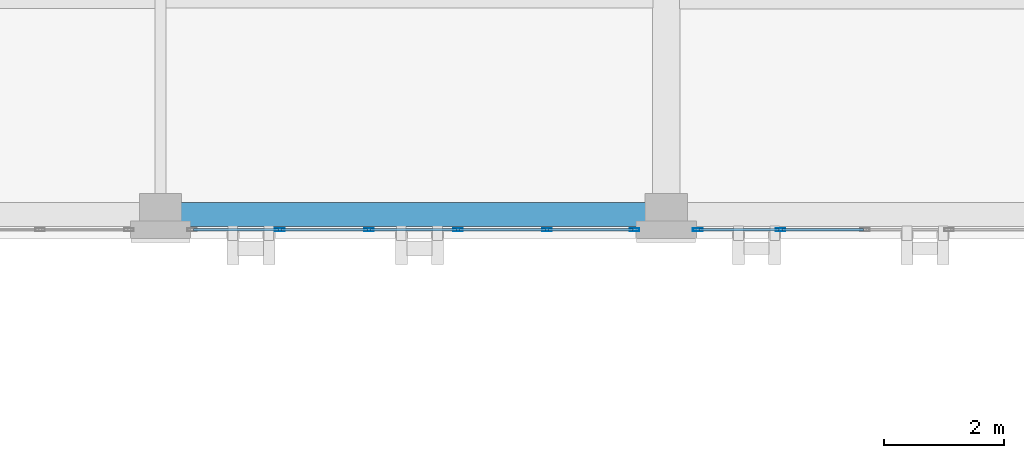
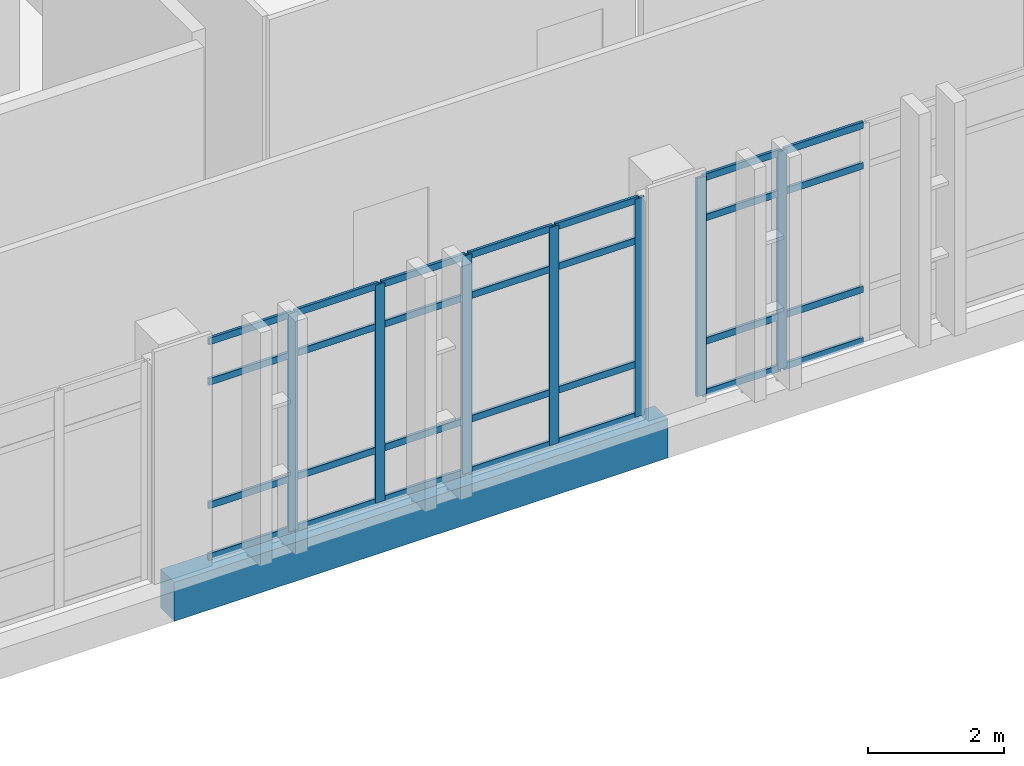
# One storey, part 81 of 165: 35 members, 1 beam, 2 elements without a shape of their own.
"""IFC4 building model written with IfcOpenShell, lengths in metres."""

from ifc_helpers import new_model, si_unit, direction, frame, origin, origin_2d, place, context, subcontext, project, spatial, rectangle, hollow_rectangle, extrude, material, layer, layer_set, material_profile, profile_set, type_object, element, aggregate, save


model = new_model("IFC4")

# Units and contexts
model_context = context("Model", 3, precision=1e-05, world=origin(), true_north=direction((0.0, 1.0)))
body_context = subcontext(model_context, "Body", "Model", "MODEL_VIEW")
ifc_project = project(units=[si_unit("LENGTHUNIT", "METRE"), si_unit("AREAUNIT", "SQUARE_METRE"), si_unit("VOLUMEUNIT", "CUBIC_METRE"), si_unit("PLANEANGLEUNIT", "RADIAN"), si_unit("MASSUNIT", "GRAM", prefix="KILO")], contexts=[model_context])

# Site, building, storey
site_placement = place(None, origin())
site = spatial("IfcSite", under=ifc_project, at=site_placement, CompositionType="ELEMENT")
building_placement = place(site_placement, origin())
building = spatial("IfcBuilding", under=site, at=building_placement, Name="Qalavern Law Courts", CompositionType="ELEMENT")
storey_placement = place(building_placement, frame((0.0, 0.0, 14.39990234375)))
storey = spatial("IfcBuildingStorey", under=building, at=storey_placement, Name="L03", CompositionType="ELEMENT", Elevation=14.39990234375)

# Curtain wall, members
ifc_material_1 = material(Name="Anodised aluminium and insulated glazing", Category="aluminium")
ifc_layer = layer(ifc_material_1, 0.166015625)
ifc_layer_set = layer_set([ifc_layer], Name="Anodised aluminium and insulated glazing")
curtain_wall_type = type_object("IfcCurtainWallType", Name="ENV-CW-LIB", PredefinedType="USERDEFINED", material=ifc_layer_set)
curtain_wall_1_placement = place(storey_placement, origin())
curtain_wall_1 = element("IfcCurtainWall", 1, at=curtain_wall_1_placement, inside=storey, type_object=curtain_wall_type, Name="V5 unitised curtain wall L03 south 2", ObjectType="UNITISED CURTAIN WALL", PredefinedType="USERDEFINED")
ifc_material_2 = material(Name="Anodised aluminium", Category="aluminium")
ifc_material_profile_1 = material_profile(ifc_material_2, hollow_rectangle(XDim=0.048095703125, YDim=0.159912109375, WallThickness=0.00390625, at=origin_2d()), Name="ALU MULLION 48x160")
ifc_profile_set_1 = profile_set([ifc_material_profile_1], Name="Anodised aluminium")
member_type_1 = type_object("IfcMemberType", Name="ENV-CWM-48x160", PredefinedType="MULLION", material=ifc_profile_set_1)
member_1_placement = place(storey_placement, frame((30.3798828125, 96.347412109375, 0.0), z_axis=(0.0, 0.0, 1.0), x_axis=(0.0, 1.0, 0.0)))
member_1 = element("IfcMember", 2, at=member_1_placement, type_object=member_type_1, Name="CW-05 mullion 2", PredefinedType="MULLION", context=body_context, shape_type="SweptSolid", body=[
    extrude(hollow_rectangle(XDim=0.048095703125, YDim=0.159912109375, WallThickness=0.00390625, at=origin_2d()), origin(), (0.0, 0.0, 1.0), 3.920166015625),
])
member_2_placement = place(storey_placement, frame((31.860107421875, 96.347412109375, 0.0), z_axis=(0.0, 0.0, 1.0), x_axis=(0.0, 1.0, 0.0)))
member_2 = element("IfcMember", 3, at=member_2_placement, type_object=member_type_1, Name="CW-05 mullion 3", PredefinedType="MULLION", context=body_context, shape_type="SweptSolid", body=[
    extrude(hollow_rectangle(XDim=0.048095703125, YDim=0.159912109375, WallThickness=0.00390625, at=origin_2d()), origin(), (0.0, 0.0, 1.0), 3.920166015625),
])
member_3_placement = place(storey_placement, frame((33.340087890625, 96.347412109375, 0.0), z_axis=(0.0, 0.0, 1.0), x_axis=(0.0, 1.0, 0.0)))
member_3 = element("IfcMember", 4, at=member_3_placement, type_object=member_type_1, Name="CW-05 mullion 4", PredefinedType="MULLION", context=body_context, shape_type="SweptSolid", body=[
    extrude(hollow_rectangle(XDim=0.048095703125, YDim=0.159912109375, WallThickness=0.00390625, at=origin_2d()), origin(), (0.0, 0.0, 1.0), 3.920166015625),
])
member_4_placement = place(storey_placement, frame((34.820068359375, 96.347412109375, 0.0), z_axis=(0.0, 0.0, 1.0), x_axis=(0.0, 1.0, 0.0)))
member_4 = element("IfcMember", 5, at=member_4_placement, type_object=member_type_1, Name="CW-05 mullion 5", PredefinedType="MULLION", context=body_context, shape_type="SweptSolid", body=[
    extrude(hollow_rectangle(XDim=0.048095703125, YDim=0.159912109375, WallThickness=0.00390625, at=origin_2d()), origin(), (0.0, 0.0, 1.0), 3.920166015625),
])
member_5_placement = place(storey_placement, frame((36.27587890625, 96.347412109375, 0.0), z_axis=(0.0, 0.0, 1.0), x_axis=(0.0, 1.0, 0.0)))
member_5 = element("IfcMember", 6, at=member_5_placement, type_object=member_type_1, Name="CW-05 mullion 6", PredefinedType="MULLION", context=body_context, shape_type="SweptSolid", body=[
    extrude(hollow_rectangle(XDim=0.048095703125, YDim=0.159912109375, WallThickness=0.00390625, at=origin_2d()), origin(), (0.0, 0.0, 1.0), 3.920166015625),
])

curtain_wall_2_placement = place(storey_placement, origin())
curtain_wall_2 = element("IfcCurtainWall", 7, at=curtain_wall_2_placement, inside=storey, type_object=curtain_wall_type, Name="V5 unitised curtain wall L03 south 3", ObjectType="UNITISED CURTAIN WALL", PredefinedType="USERDEFINED")
member_6_placement = place(storey_placement, frame((37.323974609375, 96.347412109375, 0.0), z_axis=(0.0, 0.0, 1.0), x_axis=(0.0, 1.0, 0.0)))
member_6 = element("IfcMember", 8, at=member_6_placement, type_object=member_type_1, Name="CW-05 mullion 1", PredefinedType="MULLION", context=body_context, shape_type="SweptSolid", body=[
    extrude(hollow_rectangle(XDim=0.048095703125, YDim=0.159912109375, WallThickness=0.00390625, at=origin_2d()), origin(), (0.0, 0.0, 1.0), 3.920166015625),
])
member_7_placement = place(storey_placement, frame((38.699951171875, 96.347412109375, 0.0), z_axis=(0.0, 0.0, 1.0), x_axis=(0.0, 1.0, 0.0)))
member_7 = element("IfcMember", 9, at=member_7_placement, type_object=member_type_1, Name="CW-05 mullion 2", PredefinedType="MULLION", context=body_context, shape_type="SweptSolid", body=[
    extrude(hollow_rectangle(XDim=0.048095703125, YDim=0.159912109375, WallThickness=0.00390625, at=origin_2d()), origin(), (0.0, 0.0, 1.0), 3.920166015625),
])

# Member
ifc_material_profile_2 = material_profile(ifc_material_2, hollow_rectangle(XDim=0.048095703125, YDim=0.1201171875, WallThickness=0.00390625, at=origin_2d()), Name="ALU TRANSOM 48x120")
ifc_profile_set_2 = profile_set([ifc_material_profile_2], Name="Anodised aluminium")
member_type_2 = type_object("IfcMemberType", Name="ENV-CWT-48x120", PredefinedType="USERDEFINED", material=ifc_profile_set_2)
member_8_placement = place(storey_placement, frame((28.947998046875, 96.347412109375, 0.024169921875), z_axis=(1.0, 0.0, 0.0), x_axis=(0.0, 1.0, 0.0)))
member_8 = element("IfcMember", 10, at=member_8_placement, type_object=member_type_2, Name="CW-05 transom 1.1", ObjectType="TRANSOM", PredefinedType="USERDEFINED", context=body_context, shape_type="SweptSolid", body=[
    extrude(hollow_rectangle(XDim=0.048095703125, YDim=0.1201171875, WallThickness=0.00390625, at=origin_2d()), origin(), (0.0, 0.0, 1.0), 1.407958984375),
])

member_9_placement = place(storey_placement, frame((28.947998046875, 96.347412109375, 0.9501953125), z_axis=(1.0, 0.0, 0.0), x_axis=(0.0, 1.0, 0.0)))
member_9 = element("IfcMember", 11, at=member_9_placement, type_object=member_type_2, Name="CW-05 transom 1.2", ObjectType="TRANSOM", PredefinedType="USERDEFINED", context=body_context, shape_type="SweptSolid", body=[
    extrude(hollow_rectangle(XDim=0.048095703125, YDim=0.1201171875, WallThickness=0.00390625, at=origin_2d()), origin(), (0.0, 0.0, 1.0), 1.407958984375),
])

member_10_placement = place(storey_placement, frame((28.947998046875, 96.347412109375, 3.170166015625), z_axis=(1.0, 0.0, 0.0), x_axis=(0.0, 1.0, 0.0)))
member_10 = element("IfcMember", 12, at=member_10_placement, type_object=member_type_2, Name="CW-05 transom 1.3", ObjectType="TRANSOM", PredefinedType="USERDEFINED", context=body_context, shape_type="SweptSolid", body=[
    extrude(hollow_rectangle(XDim=0.048095703125, YDim=0.1201171875, WallThickness=0.00390625, at=origin_2d()), origin(), (0.0, 0.0, 1.0), 1.407958984375),
])

member_11_placement = place(storey_placement, frame((28.947998046875, 96.347412109375, 3.89599609375), z_axis=(1.0, 0.0, 0.0), x_axis=(0.0, 1.0, 0.0)))
member_11 = element("IfcMember", 13, at=member_11_placement, type_object=member_type_2, Name="CW-05 transom 1.4", ObjectType="TRANSOM", PredefinedType="USERDEFINED", context=body_context, shape_type="SweptSolid", body=[
    extrude(hollow_rectangle(XDim=0.048095703125, YDim=0.1201171875, WallThickness=0.00390625, at=origin_2d()), origin(), (0.0, 0.0, 1.0), 1.407958984375),
])

member_12_placement = place(storey_placement, frame((30.404052734375, 96.347412109375, 0.024169921875), z_axis=(1.0, 0.0, 0.0), x_axis=(0.0, 1.0, 0.0)))
member_12 = element("IfcMember", 14, at=member_12_placement, type_object=member_type_2, Name="CW-05 transom 2.1", ObjectType="TRANSOM", PredefinedType="USERDEFINED", context=body_context, shape_type="SweptSolid", body=[
    extrude(hollow_rectangle(XDim=0.048095703125, YDim=0.1201171875, WallThickness=0.00390625, at=origin_2d()), origin(), (0.0, 0.0, 1.0), 1.431884765625),
])

member_13_placement = place(storey_placement, frame((30.404052734375, 96.347412109375, 0.9501953125), z_axis=(1.0, 0.0, 0.0), x_axis=(0.0, 1.0, 0.0)))
member_13 = element("IfcMember", 15, at=member_13_placement, type_object=member_type_2, Name="CW-05 transom 2.2", ObjectType="TRANSOM", PredefinedType="USERDEFINED", context=body_context, shape_type="SweptSolid", body=[
    extrude(hollow_rectangle(XDim=0.048095703125, YDim=0.1201171875, WallThickness=0.00390625, at=origin_2d()), origin(), (0.0, 0.0, 1.0), 1.431884765625),
])

member_14_placement = place(storey_placement, frame((30.404052734375, 96.347412109375, 3.170166015625), z_axis=(1.0, 0.0, 0.0), x_axis=(0.0, 1.0, 0.0)))
member_14 = element("IfcMember", 16, at=member_14_placement, type_object=member_type_2, Name="CW-05 transom 2.3", ObjectType="TRANSOM", PredefinedType="USERDEFINED", context=body_context, shape_type="SweptSolid", body=[
    extrude(hollow_rectangle(XDim=0.048095703125, YDim=0.1201171875, WallThickness=0.00390625, at=origin_2d()), origin(), (0.0, 0.0, 1.0), 1.431884765625),
])

member_15_placement = place(storey_placement, frame((30.404052734375, 96.347412109375, 3.89599609375), z_axis=(1.0, 0.0, 0.0), x_axis=(0.0, 1.0, 0.0)))
member_15 = element("IfcMember", 17, at=member_15_placement, type_object=member_type_2, Name="CW-05 transom 2.4", ObjectType="TRANSOM", PredefinedType="USERDEFINED", context=body_context, shape_type="SweptSolid", body=[
    extrude(hollow_rectangle(XDim=0.048095703125, YDim=0.1201171875, WallThickness=0.00390625, at=origin_2d()), origin(), (0.0, 0.0, 1.0), 1.431884765625),
])

member_16_placement = place(storey_placement, frame((31.884033203125, 96.347412109375, 0.024169921875), z_axis=(1.0, 0.0, 0.0), x_axis=(0.0, 1.0, 0.0)))
member_16 = element("IfcMember", 18, at=member_16_placement, type_object=member_type_2, Name="CW-05 transom 3.1", ObjectType="TRANSOM", PredefinedType="USERDEFINED", context=body_context, shape_type="SweptSolid", body=[
    extrude(hollow_rectangle(XDim=0.048095703125, YDim=0.1201171875, WallThickness=0.00390625, at=origin_2d()), origin(), (0.0, 0.0, 1.0), 1.431884765625),
])

member_17_placement = place(storey_placement, frame((31.884033203125, 96.347412109375, 0.9501953125), z_axis=(1.0, 0.0, 0.0), x_axis=(0.0, 1.0, 0.0)))
member_17 = element("IfcMember", 19, at=member_17_placement, type_object=member_type_2, Name="CW-05 transom 3.2", ObjectType="TRANSOM", PredefinedType="USERDEFINED", context=body_context, shape_type="SweptSolid", body=[
    extrude(hollow_rectangle(XDim=0.048095703125, YDim=0.1201171875, WallThickness=0.00390625, at=origin_2d()), origin(), (0.0, 0.0, 1.0), 1.431884765625),
])

member_18_placement = place(storey_placement, frame((31.884033203125, 96.347412109375, 3.170166015625), z_axis=(1.0, 0.0, 0.0), x_axis=(0.0, 1.0, 0.0)))
member_18 = element("IfcMember", 20, at=member_18_placement, type_object=member_type_2, Name="CW-05 transom 3.3", ObjectType="TRANSOM", PredefinedType="USERDEFINED", context=body_context, shape_type="SweptSolid", body=[
    extrude(hollow_rectangle(XDim=0.048095703125, YDim=0.1201171875, WallThickness=0.00390625, at=origin_2d()), origin(), (0.0, 0.0, 1.0), 1.431884765625),
])

member_19_placement = place(storey_placement, frame((31.884033203125, 96.347412109375, 3.89599609375), z_axis=(1.0, 0.0, 0.0), x_axis=(0.0, 1.0, 0.0)))
member_19 = element("IfcMember", 21, at=member_19_placement, type_object=member_type_2, Name="CW-05 transom 3.4", ObjectType="TRANSOM", PredefinedType="USERDEFINED", context=body_context, shape_type="SweptSolid", body=[
    extrude(hollow_rectangle(XDim=0.048095703125, YDim=0.1201171875, WallThickness=0.00390625, at=origin_2d()), origin(), (0.0, 0.0, 1.0), 1.431884765625),
])

member_20_placement = place(storey_placement, frame((33.364013671875, 96.347412109375, 0.024169921875), z_axis=(1.0, 0.0, 0.0), x_axis=(0.0, 1.0, 0.0)))
member_20 = element("IfcMember", 22, at=member_20_placement, type_object=member_type_2, Name="CW-05 transom 4.1", ObjectType="TRANSOM", PredefinedType="USERDEFINED", context=body_context, shape_type="SweptSolid", body=[
    extrude(hollow_rectangle(XDim=0.048095703125, YDim=0.1201171875, WallThickness=0.00390625, at=origin_2d()), origin(), (0.0, 0.0, 1.0), 1.431884765625),
])

member_21_placement = place(storey_placement, frame((33.364013671875, 96.347412109375, 0.9501953125), z_axis=(1.0, 0.0, 0.0), x_axis=(0.0, 1.0, 0.0)))
member_21 = element("IfcMember", 23, at=member_21_placement, type_object=member_type_2, Name="CW-05 transom 4.2", ObjectType="TRANSOM", PredefinedType="USERDEFINED", context=body_context, shape_type="SweptSolid", body=[
    extrude(hollow_rectangle(XDim=0.048095703125, YDim=0.1201171875, WallThickness=0.00390625, at=origin_2d()), origin(), (0.0, 0.0, 1.0), 1.431884765625),
])

member_22_placement = place(storey_placement, frame((33.364013671875, 96.347412109375, 3.170166015625), z_axis=(1.0, 0.0, 0.0), x_axis=(0.0, 1.0, 0.0)))
member_22 = element("IfcMember", 24, at=member_22_placement, type_object=member_type_2, Name="CW-05 transom 4.3", ObjectType="TRANSOM", PredefinedType="USERDEFINED", context=body_context, shape_type="SweptSolid", body=[
    extrude(hollow_rectangle(XDim=0.048095703125, YDim=0.1201171875, WallThickness=0.00390625, at=origin_2d()), origin(), (0.0, 0.0, 1.0), 1.431884765625),
])

member_23_placement = place(storey_placement, frame((33.364013671875, 96.347412109375, 3.89599609375), z_axis=(1.0, 0.0, 0.0), x_axis=(0.0, 1.0, 0.0)))
member_23 = element("IfcMember", 25, at=member_23_placement, type_object=member_type_2, Name="CW-05 transom 4.4", ObjectType="TRANSOM", PredefinedType="USERDEFINED", context=body_context, shape_type="SweptSolid", body=[
    extrude(hollow_rectangle(XDim=0.048095703125, YDim=0.1201171875, WallThickness=0.00390625, at=origin_2d()), origin(), (0.0, 0.0, 1.0), 1.431884765625),
])

member_24_placement = place(storey_placement, frame((34.843994140625, 96.347412109375, 0.024169921875), z_axis=(1.0, 0.0, 0.0), x_axis=(0.0, 1.0, 0.0)))
member_24 = element("IfcMember", 26, at=member_24_placement, type_object=member_type_2, Name="CW-05 transom 5.1", ObjectType="TRANSOM", PredefinedType="USERDEFINED", context=body_context, shape_type="SweptSolid", body=[
    extrude(hollow_rectangle(XDim=0.048095703125, YDim=0.1201171875, WallThickness=0.00390625, at=origin_2d()), origin(), (0.0, 0.0, 1.0), 1.407958984375),
])

member_25_placement = place(storey_placement, frame((34.843994140625, 96.347412109375, 0.9501953125), z_axis=(1.0, 0.0, 0.0), x_axis=(0.0, 1.0, 0.0)))
member_25 = element("IfcMember", 27, at=member_25_placement, type_object=member_type_2, Name="CW-05 transom 5.2", ObjectType="TRANSOM", PredefinedType="USERDEFINED", context=body_context, shape_type="SweptSolid", body=[
    extrude(hollow_rectangle(XDim=0.048095703125, YDim=0.1201171875, WallThickness=0.00390625, at=origin_2d()), origin(), (0.0, 0.0, 1.0), 1.407958984375),
])

member_26_placement = place(storey_placement, frame((34.843994140625, 96.347412109375, 3.170166015625), z_axis=(1.0, 0.0, 0.0), x_axis=(0.0, 1.0, 0.0)))
member_26 = element("IfcMember", 28, at=member_26_placement, type_object=member_type_2, Name="CW-05 transom 5.3", ObjectType="TRANSOM", PredefinedType="USERDEFINED", context=body_context, shape_type="SweptSolid", body=[
    extrude(hollow_rectangle(XDim=0.048095703125, YDim=0.1201171875, WallThickness=0.00390625, at=origin_2d()), origin(), (0.0, 0.0, 1.0), 1.407958984375),
])

member_27_placement = place(storey_placement, frame((34.843994140625, 96.347412109375, 3.89599609375), z_axis=(1.0, 0.0, 0.0), x_axis=(0.0, 1.0, 0.0)))
member_27 = element("IfcMember", 29, at=member_27_placement, type_object=member_type_2, Name="CW-05 transom 5.4", ObjectType="TRANSOM", PredefinedType="USERDEFINED", context=body_context, shape_type="SweptSolid", body=[
    extrude(hollow_rectangle(XDim=0.048095703125, YDim=0.1201171875, WallThickness=0.00390625, at=origin_2d()), origin(), (0.0, 0.0, 1.0), 1.407958984375),
])

aggregate(curtain_wall_1, [member_1, member_2, member_3, member_4, member_5, member_8, member_9, member_10, member_11, member_12, member_13, member_14, member_15, member_16, member_17, member_18, member_19, member_20, member_21, member_22, member_23, member_24, member_25, member_26, member_27])

member_28_placement = place(storey_placement, frame((37.347900390625, 96.347412109375, 0.024169921875), z_axis=(1.0, 0.0, 0.0), x_axis=(0.0, 1.0, 0.0)))
member_28 = element("IfcMember", 30, at=member_28_placement, type_object=member_type_2, Name="CW-05 transom 1.1", ObjectType="TRANSOM", PredefinedType="USERDEFINED", context=body_context, shape_type="SweptSolid", body=[
    extrude(hollow_rectangle(XDim=0.048095703125, YDim=0.1201171875, WallThickness=0.00390625, at=origin_2d()), origin(), (0.0, 0.0, 1.0), 1.328125),
])

member_29_placement = place(storey_placement, frame((37.347900390625, 96.347412109375, 0.9501953125), z_axis=(1.0, 0.0, 0.0), x_axis=(0.0, 1.0, 0.0)))
member_29 = element("IfcMember", 31, at=member_29_placement, type_object=member_type_2, Name="CW-05 transom 1.2", ObjectType="TRANSOM", PredefinedType="USERDEFINED", context=body_context, shape_type="SweptSolid", body=[
    extrude(hollow_rectangle(XDim=0.048095703125, YDim=0.1201171875, WallThickness=0.00390625, at=origin_2d()), origin(), (0.0, 0.0, 1.0), 1.328125),
])

member_30_placement = place(storey_placement, frame((37.347900390625, 96.347412109375, 3.170166015625), z_axis=(1.0, 0.0, 0.0), x_axis=(0.0, 1.0, 0.0)))
member_30 = element("IfcMember", 32, at=member_30_placement, type_object=member_type_2, Name="CW-05 transom 1.3", ObjectType="TRANSOM", PredefinedType="USERDEFINED", context=body_context, shape_type="SweptSolid", body=[
    extrude(hollow_rectangle(XDim=0.048095703125, YDim=0.1201171875, WallThickness=0.00390625, at=origin_2d()), origin(), (0.0, 0.0, 1.0), 1.328125),
])

member_31_placement = place(storey_placement, frame((37.347900390625, 96.347412109375, 3.89599609375), z_axis=(1.0, 0.0, 0.0), x_axis=(0.0, 1.0, 0.0)))
member_31 = element("IfcMember", 33, at=member_31_placement, type_object=member_type_2, Name="CW-05 transom 1.4", ObjectType="TRANSOM", PredefinedType="USERDEFINED", context=body_context, shape_type="SweptSolid", body=[
    extrude(hollow_rectangle(XDim=0.048095703125, YDim=0.1201171875, WallThickness=0.00390625, at=origin_2d()), origin(), (0.0, 0.0, 1.0), 1.328125),
])

member_32_placement = place(storey_placement, frame((38.72412109375, 96.347412109375, 0.024169921875), z_axis=(1.0, 0.0, 0.0), x_axis=(0.0, 1.0, 0.0)))
member_32 = element("IfcMember", 34, at=member_32_placement, type_object=member_type_2, Name="CW-05 transom 2.1", ObjectType="TRANSOM", PredefinedType="USERDEFINED", context=body_context, shape_type="SweptSolid", body=[
    extrude(hollow_rectangle(XDim=0.048095703125, YDim=0.1201171875, WallThickness=0.00390625, at=origin_2d()), origin(), (0.0, 0.0, 1.0), 1.351806640625),
])

member_33_placement = place(storey_placement, frame((38.72412109375, 96.347412109375, 0.9501953125), z_axis=(1.0, 0.0, 0.0), x_axis=(0.0, 1.0, 0.0)))
member_33 = element("IfcMember", 35, at=member_33_placement, type_object=member_type_2, Name="CW-05 transom 2.2", ObjectType="TRANSOM", PredefinedType="USERDEFINED", context=body_context, shape_type="SweptSolid", body=[
    extrude(hollow_rectangle(XDim=0.048095703125, YDim=0.1201171875, WallThickness=0.00390625, at=origin_2d()), origin(), (0.0, 0.0, 1.0), 1.351806640625),
])

member_34_placement = place(storey_placement, frame((38.72412109375, 96.347412109375, 3.170166015625), z_axis=(1.0, 0.0, 0.0), x_axis=(0.0, 1.0, 0.0)))
member_34 = element("IfcMember", 36, at=member_34_placement, type_object=member_type_2, Name="CW-05 transom 2.3", ObjectType="TRANSOM", PredefinedType="USERDEFINED", context=body_context, shape_type="SweptSolid", body=[
    extrude(hollow_rectangle(XDim=0.048095703125, YDim=0.1201171875, WallThickness=0.00390625, at=origin_2d()), origin(), (0.0, 0.0, 1.0), 1.351806640625),
])

member_35_placement = place(storey_placement, frame((38.72412109375, 96.347412109375, 3.89599609375), z_axis=(1.0, 0.0, 0.0), x_axis=(0.0, 1.0, 0.0)))
member_35 = element("IfcMember", 37, at=member_35_placement, type_object=member_type_2, Name="CW-05 transom 2.4", ObjectType="TRANSOM", PredefinedType="USERDEFINED", context=body_context, shape_type="SweptSolid", body=[
    extrude(hollow_rectangle(XDim=0.048095703125, YDim=0.1201171875, WallThickness=0.00390625, at=origin_2d()), origin(), (0.0, 0.0, 1.0), 1.351806640625),
])

aggregate(curtain_wall_2, [member_6, member_7, member_28, member_29, member_30, member_31, member_32, member_33, member_34, member_35])

# Beam
ifc_material_3 = material(Name="Concrete C40/50", Category="concrete")
ifc_material_profile_3 = material_profile(ifc_material_3, rectangle(XDim=0.39990234375, YDim=0.699951171875, at=origin_2d()), Name="RC 400x700")
ifc_profile_set_3 = profile_set([ifc_material_profile_3], Name="Concrete C40/50")
beam_type = type_object("IfcBeamType", Name="STR-SP-RC400x700", PredefinedType="SPANDREL", material=ifc_profile_set_3)
beam_placement = place(storey_placement, frame((28.39990234375, 96.60009765625, -0.635009765625), z_axis=(1.0, 0.0, 0.0), x_axis=(0.0, 1.0, 0.0)))
element("IfcBeam", 38, at=beam_placement, inside=storey, type_object=beam_type, Name="V5 X-beam 1-4 L03", PredefinedType="SPANDREL", context=body_context, shape_type="SweptSolid", body=[
    extrude(rectangle(XDim=0.39990234375, YDim=0.699951171875, at=origin_2d()), origin(), (0.0, 0.0, 1.0), 8.400146484375),
])

save(model, "model.ifc")
